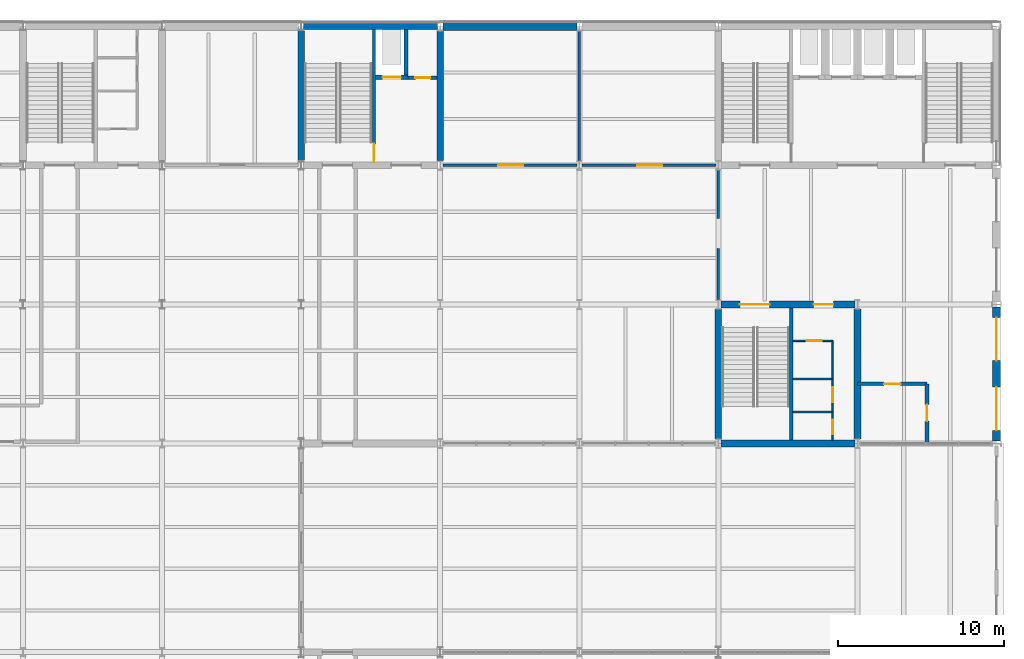
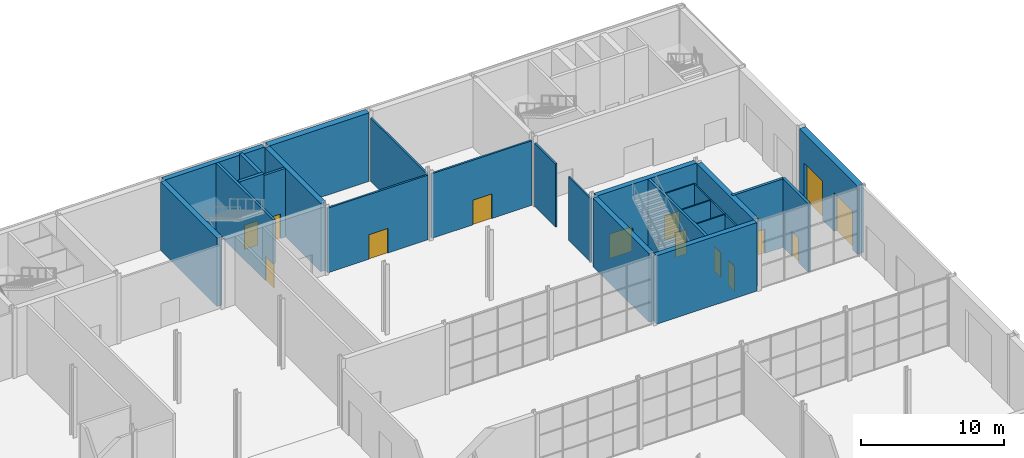
# One storey, part 36 of 55: 27 walls, 14 doors, 14 openings.
"""IFC4 building model written with IfcOpenShell, lengths in metres."""

from ifc_helpers import new_model, si_unit, direction, frame, frame_2d, origin, place, context, subcontext, project, spatial, rectangle, extrude, material, layer, layer_set, type_object, element, fill, save


model = new_model("IFC4")

# Units and contexts
model_context = context("Model", 3, precision=1e-05, world=origin(), true_north=direction((0.0, 1.0)))
body_context = subcontext(model_context, "Body", "Model", "MODEL_VIEW")
ifc_project = project(units=[si_unit("LENGTHUNIT", "METRE"), si_unit("AREAUNIT", "SQUARE_METRE"), si_unit("VOLUMEUNIT", "CUBIC_METRE"), si_unit("PLANEANGLEUNIT", "RADIAN"), si_unit("MASSUNIT", "GRAM", prefix="KILO")], contexts=[model_context])

# Site, building, storey
site_placement = place(None, origin())
site = spatial("IfcSite", under=ifc_project, at=site_placement, CompositionType="ELEMENT")
building_placement = place(site_placement, origin())
building = spatial("IfcBuilding", under=site, at=building_placement, Name="Galleria Vessillo Department Store", CompositionType="ELEMENT")
storey_placement = place(building_placement, origin())
storey = spatial("IfcBuildingStorey", under=building, at=storey_placement, Name="L00", CompositionType="ELEMENT", Elevation=0.0)

# Wall, opening, door
ifc_material_1 = material(Name="Solid clay block masonry", Category="masonry")
ifc_layer_1 = layer(ifc_material_1, 0.25)
ifc_layer_set_1 = layer_set([ifc_layer_1], Name="Solid clay block masonry")
wall_type_1 = type_object("IfcWallType", Name="Lift shaft wall 250 mm", PredefinedType="SOLIDWALL", material=ifc_layer_set_1)
wall_1_placement = place(storey_placement, frame((80.10009765625, 59.925048828125, 0.0), z_axis=(0.0, 0.0, 1.0), x_axis=(1.0, 0.0, 0.0)))
wall_1 = element("IfcWall", 1, at=wall_1_placement, inside=storey, type_object=wall_type_1, Name="Lift shaft wall LP6 landing side L00", PredefinedType="SOLIDWALL", context=body_context, shape_type="SweptSolid", body=[
    extrude(rectangle(XDim=1.949951171875, YDim=0.25, at=frame_2d((0.97509765625, 0.0))), origin(), (0.0, 0.0, 1.0), 6.0),
])
opening_1_placement = place(wall_1_placement, frame((0.4248046875, 0.0, 0.0)))
opening_1 = element("IfcOpeningElement", 2, at=opening_1_placement, cuts=wall_1, Name="Opening LD043", PredefinedType="OPENING", context=body_context, shape_type="SweptSolid", body=[
    extrude(rectangle(XDim=1.10009765625, YDim=2.10009765625, at=frame_2d((0.550048828125, 1.050048828125))), frame((0.0, 0.135009765625, 0.0), z_axis=(0.0, -1.0, 0.0), x_axis=(1.0, 0.0, 0.0)), (0.0, 0.0, 1.0), 0.27001953125),
])
ifc_material_2 = material(Name="Stainless steel lift door panel", Category="steel")
door_type_1 = type_object("IfcDoorType", Name="Lift landing door LD110 sliding 1100 x 2100", OperationType="SLIDING_TO_LEFT", PredefinedType="DOOR", material=ifc_material_2)
door_1_placement = place(opening_1_placement, frame((1.10009765625, 0.0, 0.0), z_axis=(0.0, 0.0, 1.0), x_axis=(-1.0, 0.0, 0.0)))
door_1 = element("IfcDoor", 3, at=door_1_placement, inside=storey, type_object=door_type_1, Name="Lift landing door LP6 L00", OperationType="SLIDING_TO_RIGHT", OverallHeight=2.10009765625, OverallWidth=1.10009765625, PredefinedType="DOOR", context=body_context, shape_type="SweptSolid", body=[
    extrude(rectangle(XDim=1.10009765625, YDim=2.10009765625, at=frame_2d((0.550048828125, 1.050048828125))), frame((0.0, 0.02490234375, 0.0), z_axis=(0.0, -1.0, 0.0), x_axis=(1.0, 0.0, 0.0)), (0.0, 0.0, 1.0), 0.050048828125),
])
fill(opening_1, door_1)

# Wall
wall_2_placement = place(storey_placement, frame((81.925048828125, 62.800048828125, 0.0), z_axis=(0.0, 0.0, 1.0), x_axis=(0.0, -1.0, 0.0)))
element("IfcWall", 4, at=wall_2_placement, inside=storey, type_object=wall_type_1, Name="Lift shaft wall LP6 L00", PredefinedType="SOLIDWALL", context=body_context, shape_type="SweptSolid", body=[
    extrude(rectangle(XDim=2.75, YDim=0.25, at=frame_2d((1.375, 0.0))), origin(), (0.0, 0.0, 1.0), 6.0),
])

# Wall, openings, doors
ifc_material_3 = material(Name="Reinforced masonry, limestone units 80 MPa", Category="masonry")
ifc_layer_2 = layer(ifc_material_3, 0.5)
ifc_layer_set_2 = layer_set([ifc_layer_2], Name="Reinforced masonry, limestone units 80 MPa")
wall_type_2 = type_object("IfcWallType", Name="Load-bearing limestone-faced wall 500 mm", PredefinedType="STANDARD", material=ifc_layer_set_2)
wall_3_placement = place(storey_placement, frame((117.60009765625, 37.953125, 0.0), z_axis=(0.0, 0.0, 1.0), x_axis=(0.0, 1.0, 0.0)))
wall_3 = element("IfcWall", 5, at=wall_3_placement, inside=storey, type_object=wall_type_2, Name="Load-bearing limestone-faced wall 500 mm SE-N-L00-01", PredefinedType="STANDARD", context=body_context, shape_type="SweptSolid", body=[
    extrude(rectangle(XDim=8.09375, YDim=0.5, at=frame_2d((4.046875, 0.0))), origin(), (0.0, 0.0, 1.0), 5.85009765625),
])
opening_2_placement = place(wall_3_placement, frame((0.64697265625, 0.0, 0.0)))
opening_2 = element("IfcOpeningElement", 6, at=opening_2_placement, cuts=wall_3, Name="Opening TE1", PredefinedType="OPENING", context=body_context, shape_type="SweptSolid", body=[
    extrude(rectangle(XDim=2.60009765625, YDim=3.300048828125, at=frame_2d((1.300048828125, 1.64990234375))), frame((0.0, 0.260009765625, 0.0), z_axis=(0.0, -1.0, 0.0), x_axis=(1.0, 0.0, 0.0)), (0.0, 0.0, 1.0), 0.52001953125),
])
opening_3_placement = place(wall_3_placement, frame((4.846923828125, 0.0, 0.0)))
opening_3 = element("IfcOpeningElement", 7, at=opening_3_placement, cuts=wall_3, Name="Opening TE2", PredefinedType="OPENING", context=body_context, shape_type="SweptSolid", body=[
    extrude(rectangle(XDim=2.60009765625, YDim=3.300048828125, at=frame_2d((1.300048828125, 1.64990234375))), frame((0.0, 0.260009765625, 0.0), z_axis=(0.0, -1.0, 0.0), x_axis=(1.0, 0.0, 0.0)), (0.0, 0.0, 1.0), 0.52001953125),
])
ifc_material_4 = material(Name="Aluminium frame with laminated glass 44.2", Category="aluminium")
door_type_2 = type_object("IfcDoorType", Name="Tower entrance door 2600 x 3300", OperationType="DOUBLE_DOOR_SINGLE_SWING", PredefinedType="DOOR", material=ifc_material_4)
door_2_placement = place(opening_2_placement, frame((2.60009765625, 0.0, 0.0), z_axis=(0.0, 0.0, 1.0), x_axis=(-1.0, 0.0, 0.0)))
door_2 = element("IfcDoor", 8, at=door_2_placement, inside=storey, type_object=door_type_2, Name="Tower entrance door 2600 x 3300 TE1", OperationType="DOUBLE_DOOR_SINGLE_SWING", OverallHeight=3.300048828125, OverallWidth=2.60009765625, PredefinedType="DOOR", context=body_context, shape_type="SweptSolid", body=[
    extrude(rectangle(XDim=2.60009765625, YDim=3.300048828125, at=frame_2d((1.300048828125, 1.64990234375))), frame((0.0, 0.02490234375, 0.0), z_axis=(0.0, -1.0, 0.0), x_axis=(1.0, 0.0, 0.0)), (0.0, 0.0, 1.0), 0.050048828125),
])
fill(opening_2, door_2)
door_3_placement = place(opening_3_placement, frame((2.60009765625, 0.0, 0.0), z_axis=(0.0, 0.0, 1.0), x_axis=(-1.0, 0.0, 0.0)))
door_3 = element("IfcDoor", 9, at=door_3_placement, inside=storey, type_object=door_type_2, Name="Tower entrance door 2600 x 3300 TE2", OperationType="DOUBLE_DOOR_SINGLE_SWING", OverallHeight=3.300048828125, OverallWidth=2.60009765625, PredefinedType="DOOR", context=body_context, shape_type="SweptSolid", body=[
    extrude(rectangle(XDim=2.60009765625, YDim=3.300048828125, at=frame_2d((1.300048828125, 1.64990234375))), frame((0.0, 0.02490234375, 0.0), z_axis=(0.0, -1.0, 0.0), x_axis=(1.0, 0.0, 0.0)), (0.0, 0.0, 1.0), 0.050048828125),
])
fill(opening_3, door_3)

# Walls
ifc_material_5 = material(Name="Concrete C32/40 reinforced", Category="concrete")
ifc_layer_3 = layer(ifc_material_5, 0.39990234375)
ifc_layer_set_3 = layer_set([ifc_layer_3], Name="Concrete C32/40 reinforced")
wall_type_3 = type_object("IfcWallType", Name="Reinforced concrete core wall 400 mm", PredefinedType="SHEAR", material=ifc_layer_set_3)
wall_4_placement = place(storey_placement, frame((75.60009765625, 54.85009765625, 0.0), z_axis=(0.0, 0.0, 1.0), x_axis=(0.0, 1.0, 0.0)))
element("IfcWall", 10, at=wall_4_placement, inside=storey, type_object=wall_type_3, Name="S-CW-PC-NE-WEST-L00", PredefinedType="SHEAR", context=body_context, shape_type="SweptSolid", body=[
    extrude(rectangle(XDim=7.89990234375, YDim=0.39990234375, at=frame_2d((3.949951171875, 0.0))), origin(), (0.0, 0.0, 1.0), 5.85009765625),
])
wall_5_placement = place(storey_placement, frame((84.0, 54.885986328125, 0.0), z_axis=(0.0, 0.0, 1.0), x_axis=(0.0, 1.0, 0.0)))
element("IfcWall", 11, at=wall_5_placement, inside=storey, type_object=wall_type_3, Name="S-CW-PC-NE-EAST-L00", PredefinedType="SHEAR", context=body_context, shape_type="SweptSolid", body=[
    extrude(rectangle(XDim=7.828125, YDim=0.39990234375, at=frame_2d((3.9140625, 0.0))), origin(), (0.0, 0.0, 1.0), 5.85009765625),
])
wall_6_placement = place(storey_placement, frame((100.953125, 37.800048828125, 0.0), z_axis=(0.0, 0.0, 1.0), x_axis=(1.0, 0.0, 0.0)))
element("IfcWall", 12, at=wall_6_placement, inside=storey, type_object=wall_type_3, Name="S-CW-TS-PARTY-L00", PredefinedType="SHEAR", context=body_context, shape_type="SweptSolid", body=[
    extrude(rectangle(XDim=8.09375, YDim=0.39990234375, at=frame_2d((4.046875, 0.0))), origin(), (0.0, 0.0, 1.0), 5.85009765625),
])

# Wall, openings, doors
wall_7_placement = place(storey_placement, frame((100.953125, 46.199951171875, 0.0), z_axis=(0.0, 0.0, 1.0), x_axis=(1.0, 0.0, 0.0)))
wall_7 = element("IfcWall", 13, at=wall_7_placement, inside=storey, type_object=wall_type_3, Name="S-CW-TS-INTERIOR-L00", PredefinedType="SHEAR", context=body_context, shape_type="SweptSolid", body=[
    extrude(rectangle(XDim=8.09375, YDim=0.39990234375, at=frame_2d((4.046875, 0.0))), origin(), (0.0, 0.0, 1.0), 5.85009765625),
])
opening_4_placement = place(wall_7_placement, frame((5.596923828125, 0.0, 0.0)))
opening_4 = element("IfcOpeningElement", 14, at=opening_4_placement, cuts=wall_7, Name="Opening D5320", PredefinedType="OPENING", context=body_context, shape_type="SweptSolid", body=[
    extrude(rectangle(XDim=1.199951171875, YDim=2.10009765625, at=frame_2d((0.60009765625, 1.050048828125))), frame((0.0, 0.2099609375, 0.0), z_axis=(0.0, -1.0, 0.0), x_axis=(1.0, 0.0, 0.0)), (0.0, 0.0, 1.0), 0.419921875),
])
opening_5_placement = place(wall_7_placement, frame((1.14697265625, 0.0, 0.0)))
opening_5 = element("IfcOpeningElement", 15, at=opening_5_placement, cuts=wall_7, Name="Opening D5352", PredefinedType="OPENING", context=body_context, shape_type="SweptSolid", body=[
    extrude(rectangle(XDim=1.800048828125, YDim=2.10009765625, at=frame_2d((0.89990234375, 1.050048828125))), frame((0.0, 0.2099609375, 0.0), z_axis=(0.0, -1.0, 0.0), x_axis=(1.0, 0.0, 0.0)), (0.0, 0.0, 1.0), 0.419921875),
])
ifc_material_6 = material(Name="Fire-rated steel door leaf", Category="steel")
door_type_3 = type_object("IfcDoorType", Name="Door D120F fire door 1200 x 2100", OperationType="SINGLE_SWING_LEFT", PredefinedType="DOOR", material=ifc_material_6)
door_4_placement = place(opening_4_placement, frame((1.199951171875, 0.0, 0.0), z_axis=(0.0, 0.0, 1.0), x_axis=(-1.0, 0.0, 0.0)))
door_4 = element("IfcDoor", 16, at=door_4_placement, inside=storey, type_object=door_type_3, Name="Lobby door TS-WC-FLOOR L00", OperationType="SINGLE_SWING_LEFT", OverallHeight=2.10009765625, OverallWidth=1.199951171875, PredefinedType="DOOR", context=body_context, shape_type="SweptSolid", body=[
    extrude(rectangle(XDim=1.199951171875, YDim=2.10009765625, at=frame_2d((0.60009765625, 1.050048828125))), frame((0.0, 0.02490234375, 0.0), z_axis=(0.0, -1.0, 0.0), x_axis=(1.0, 0.0, 0.0)), (0.0, 0.0, 1.0), 0.050048828125),
])
fill(opening_4, door_4)
ifc_material_7 = material(Name="Fire-rated steel door leaf", Category="steel")
door_type_4 = type_object("IfcDoorType", Name="Door D180F double leaf 1800 x 2100", OperationType="DOUBLE_DOOR_SINGLE_SWING", PredefinedType="DOOR", material=ifc_material_7)
door_5_placement = place(opening_5_placement, origin())
door_5 = element("IfcDoor", 17, at=door_5_placement, inside=storey, type_object=door_type_4, Name="Stair exit door X-ST12", OperationType="DOUBLE_DOOR_SINGLE_SWING", OverallHeight=2.10009765625, OverallWidth=1.800048828125, PredefinedType="DOOR", context=body_context, shape_type="SweptSolid", body=[
    extrude(rectangle(XDim=1.800048828125, YDim=2.10009765625, at=frame_2d((0.89990234375, 1.050048828125))), frame((0.0, 0.02490234375, 0.0), z_axis=(0.0, -1.0, 0.0), x_axis=(1.0, 0.0, 0.0)), (0.0, 0.0, 1.0), 0.050048828125),
])
fill(opening_5, door_5)

# Walls
for number, where, z_axis, x_axis, name in (
    (18, (100.800048828125, 38.0859375, 0.0), (0.0, 0.0, 1.0), (0.0, 1.0, 0.0), "S-CW-TS-WEST-L00"),
    (19, (109.199951171875, 38.0859375, 0.0), (0.0, 0.0, 1.0), (0.0, 1.0, 0.0), "S-CW-TS-EAST-L00"),
):
    element("IfcWall", number, at=place(storey_placement, frame(where, z_axis=z_axis, x_axis=x_axis)), inside=storey, type_object=wall_type_3, Name=name, PredefinedType="SHEAR", context=body_context, shape_type="SweptSolid", body=[
        extrude(rectangle(XDim=7.828125, YDim=0.39990234375, at=frame_2d((3.9140625, 0.0))), origin(), (0.0, 0.0, 1.0), 5.85009765625),
    ])
ifc_material_8 = material(Name="Concrete C32/40 reinforced", Category="concrete")
ifc_layer_4 = layer(ifc_material_8, 0.39990234375)
ifc_layer_set_4 = layer_set([ifc_layer_4], Name="Concrete C32/40 reinforced")
wall_type_4 = type_object("IfcWallType", Name="Reinforced concrete core wall 400 mm, external", PredefinedType="SHEAR", material=ifc_layer_set_4)
wall_8_placement = place(storey_placement, frame((75.75, 63.0, 0.0), z_axis=(0.0, 0.0, 1.0), x_axis=(1.0, 0.0, 0.0)))
element("IfcWall", 20, at=wall_8_placement, inside=storey, type_object=wall_type_4, Name="S-CW-PC-NE-PARTY-L00", PredefinedType="SHEAR", context=body_context, shape_type="SweptSolid", body=[
    extrude(rectangle(XDim=8.096923828125, YDim=0.39990234375, at=frame_2d((4.04833984375, 0.0))), origin(), (0.0, 0.0, 1.0), 5.85009765625),
])
ifc_material_9 = material(Name="Concrete C32/40 reinforced", Category="concrete")
ifc_layer_5 = layer(ifc_material_9, 0.5)
ifc_layer_set_5 = layer_set([ifc_layer_5], Name="Concrete C32/40 reinforced")
wall_type_5 = type_object("IfcWallType", Name="Reinforced concrete party wall 500 mm", PredefinedType="SHEAR", material=ifc_layer_set_5)
wall_9_placement = place(storey_placement, frame((84.153076171875, 63.0, 0.0), z_axis=(0.0, 0.0, 1.0), x_axis=(1.0, 0.0, 0.0)))
element("IfcWall", 21, at=wall_9_placement, inside=storey, type_object=wall_type_5, Name="S-PN-L00-07", PredefinedType="SHEAR", context=body_context, shape_type="SweptSolid", body=[
    extrude(rectangle(XDim=8.09375, YDim=0.5, at=frame_2d((4.046875, 0.0))), origin(), (0.0, 0.0, 1.0), 5.85009765625),
])

# Wall, opening, door
ifc_material_10 = material(Name="Concrete C32/40 reinforced", Category="concrete")
ifc_layer_6 = layer(ifc_material_10, 0.199951171875)
ifc_layer_set_6 = layer_set([ifc_layer_6], Name="Concrete C32/40 reinforced")
wall_type_6 = type_object("IfcWallType", Name="Reinforced concrete stair enclosure wall 200 mm", PredefinedType="SHEAR", material=ifc_layer_set_6)
wall_10_placement = place(storey_placement, frame((80.0, 62.800048828125, 0.0), z_axis=(0.0, 0.0, 1.0), x_axis=(0.0, -1.0, 0.0)))
wall_10 = element("IfcWall", 22, at=wall_10_placement, inside=storey, type_object=wall_type_6, Name="Stair enclosure wall PC-NE L00", PredefinedType="SHEAR", context=body_context, shape_type="SweptSolid", body=[
    extrude(rectangle(XDim=8.0, YDim=0.199951171875, at=frame_2d((4.0, 0.0))), origin(), (0.0, 0.0, 1.0), 5.85009765625),
])
opening_6_placement = place(wall_10_placement, frame((6.89990234375, 0.0, 0.0)))
opening_6 = element("IfcOpeningElement", 23, at=opening_6_placement, cuts=wall_10, Name="Opening D5166", PredefinedType="OPENING", context=body_context, shape_type="SweptSolid", body=[
    extrude(rectangle(XDim=1.11009765625, YDim=2.10009765625, at=frame_2d((0.554931640625, 1.050048828125))), frame((0.0, 0.10986328125, 0.0), z_axis=(0.0, -1.0, 0.0), x_axis=(1.0, 0.0, 0.0)), (0.0, 0.0, 1.0), 0.219970703125),
])
ifc_material_11 = material(Name="Fire-rated steel door leaf", Category="steel")
door_type_5 = type_object("IfcDoorType", Name="Door D110F stair door 1100 x 2100", OperationType="SINGLE_SWING_LEFT", PredefinedType="DOOR", material=ifc_material_11)
door_6_placement = place(opening_6_placement, origin())
door_6 = element("IfcDoor", 24, at=door_6_placement, inside=storey, type_object=door_type_5, Name="Stair door PC-NE-ST-LOBBY L00", OperationType="SINGLE_SWING_RIGHT", OverallHeight=2.10009765625, OverallWidth=1.10009765625, PredefinedType="DOOR", context=body_context, shape_type="SweptSolid", body=[
    extrude(rectangle(XDim=1.10009765625, YDim=2.10009765625, at=frame_2d((0.550048828125, 1.050048828125))), frame((0.0, 0.02490234375, 0.0), z_axis=(0.0, -1.0, 0.0), x_axis=(1.0, 0.0, 0.0)), (0.0, 0.0, 1.0), 0.050048828125),
])
fill(opening_6, door_6)

# Wall
wall_11_placement = place(storey_placement, frame((105.199951171875, 38.0, 0.0), z_axis=(0.0, 0.0, 1.0), x_axis=(0.0, 1.0, 0.0)))
element("IfcWall", 25, at=wall_11_placement, inside=storey, type_object=wall_type_6, Name="Stair enclosure wall TS L00", PredefinedType="SHEAR", context=body_context, shape_type="SweptSolid", body=[
    extrude(rectangle(XDim=8.0, YDim=0.199951171875, at=frame_2d((4.0, 0.0))), origin(), (0.0, 0.0, 1.0), 5.85009765625),
])

# Wall, opening, door
ifc_material_12 = material(Name="Hollow clay block masonry", Category="masonry")
ifc_layer_7 = layer(ifc_material_12, 0.199951171875)
ifc_layer_set_7 = layer_set([ifc_layer_7], Name="Hollow clay block masonry")
wall_type_7 = type_object("IfcWallType", Name="Riser and service room wall 200 mm", PredefinedType="PARTITIONING", material=ifc_layer_set_7)
wall_12_placement = place(storey_placement, frame((82.050048828125, 59.900146484375, 0.0), z_axis=(0.0, 0.0, 1.0), x_axis=(1.0, 0.0, 0.0)))
wall_12 = element("IfcWall", 26, at=wall_12_placement, inside=storey, type_object=wall_type_7, Name="Riser wall PC-NE-RISER L00", PredefinedType="PARTITIONING", context=body_context, shape_type="SweptSolid", body=[
    extrude(rectangle(XDim=1.75, YDim=0.199951171875, at=frame_2d((0.875, 0.0))), origin(), (0.0, 0.0, 1.0), 5.85009765625),
])
opening_7_placement = place(wall_12_placement, frame((0.449951171875, 0.0, 0.0)))
opening_7 = element("IfcOpeningElement", 27, at=opening_7_placement, cuts=wall_12, Name="Opening D5167", PredefinedType="OPENING", context=body_context, shape_type="SweptSolid", body=[
    extrude(rectangle(XDim=0.89990234375, YDim=2.10009765625, at=frame_2d((0.449951171875, 1.050048828125))), frame((0.0, 0.10986328125, 0.0), z_axis=(0.0, -1.0, 0.0), x_axis=(1.0, 0.0, 0.0)), (0.0, 0.0, 1.0), 0.219970703125),
])
ifc_material_13 = material(Name="Fire-rated steel door leaf", Category="steel")
door_type_6 = type_object("IfcDoorType", Name="Door DR90 riser access 900 x 2100", OperationType="SINGLE_SWING_LEFT", PredefinedType="DOOR", material=ifc_material_13)
door_7_placement = place(opening_7_placement, origin())
door_7 = element("IfcDoor", 28, at=door_7_placement, inside=storey, type_object=door_type_6, Name="Riser door PC-NE-RISER-D L00", OperationType="SINGLE_SWING_RIGHT", OverallHeight=2.10009765625, OverallWidth=0.89990234375, PredefinedType="DOOR", context=body_context, shape_type="SweptSolid", body=[
    extrude(rectangle(XDim=0.89990234375, YDim=2.10009765625, at=frame_2d((0.449951171875, 1.050048828125))), frame((0.0, 0.02490234375, 0.0), z_axis=(0.0, -1.0, 0.0), x_axis=(1.0, 0.0, 0.0)), (0.0, 0.0, 1.0), 0.050048828125),
])
fill(opening_7, door_7)

# Walls
ifc_material_14 = material(Name="Gypsum board partition")
ifc_layer_8 = layer(ifc_material_14, 0.139892578125)
ifc_layer_set_8 = layer_set([ifc_layer_8], Name="Gypsum board partition")
wall_type_8 = type_object("IfcWallType", Name="Sales dividing wall 140 mm", PredefinedType="PARTITIONING", material=ifc_layer_set_8)
wall_13_placement = place(storey_placement, frame((100.800048828125, 46.48583984375, 0.0), z_axis=(0.0, 0.0, 1.0), x_axis=(0.0, 1.0, 0.0)))
element("IfcWall", 29, at=wall_13_placement, inside=storey, type_object=wall_type_8, Name="Partition wall PT3 on L00 no. 042", PredefinedType="PARTITIONING", context=body_context, shape_type="SweptSolid", body=[
    extrude(rectangle(XDim=3.10009765625, YDim=0.139892578125, at=frame_2d((1.550048828125, 0.0))), origin(), (0.0, 0.0, 1.0), 5.41015625),
])
wall_14_placement = place(storey_placement, frame((100.800048828125, 51.385986328125, 0.0), z_axis=(0.0, 0.0, 1.0), x_axis=(0.0, 1.0, 0.0)))
element("IfcWall", 30, at=wall_14_placement, inside=storey, type_object=wall_type_8, Name="Partition wall PT3 on L00 no. 043", PredefinedType="PARTITIONING", context=body_context, shape_type="SweptSolid", body=[
    extrude(rectangle(XDim=2.92822265625, YDim=0.139892578125, at=frame_2d((1.464111328125, 0.0))), origin(), (0.0, 0.0, 1.0), 5.41015625),
])

# Wall, opening, door
ifc_material_15 = material(Name="Concrete blockwork", Category="masonry")
ifc_layer_9 = layer(ifc_material_15, 0.215087890625)
ifc_layer_set_9 = layer_set([ifc_layer_9], Name="Concrete blockwork")
wall_type_9 = type_object("IfcWallType", Name="Security room blockwork wall 215 mm", PredefinedType="SOLIDWALL", material=ifc_layer_set_9)
wall_15_placement = place(storey_placement, frame((109.2099609375, 41.39990234375, 0.0), z_axis=(0.0, 0.0, 1.0), x_axis=(1.0, 0.0, 0.0)))
wall_15 = element("IfcWall", 31, at=wall_15_placement, inside=storey, type_object=wall_type_9, Name="Partition wall PT9 on L00 no. 044", PredefinedType="SOLIDWALL", context=body_context, shape_type="SweptSolid", body=[
    extrude(rectangle(XDim=4.18994140625, YDim=0.215087890625, at=frame_2d((2.094970703125, 0.0))), origin(), (0.0, 0.0, 1.0), 5.85009765625),
])
opening_8_placement = place(wall_15_placement, frame((1.60009765625, 0.0, 0.0)))
opening_8 = element("IfcOpeningElement", 32, at=opening_8_placement, cuts=wall_15, Name="Opening D2225", PredefinedType="OPENING", context=body_context, shape_type="SweptSolid", body=[
    extrude(rectangle(XDim=1.0, YDim=2.10009765625, at=frame_2d((0.5, 1.050048828125))), frame((0.0, 0.11767578125, 0.0), z_axis=(0.0, -1.0, 0.0), x_axis=(1.0, 0.0, 0.0)), (0.0, 0.0, 1.0), 0.235107421875),
])
ifc_material_16 = material(Name="Steel fire door leaf", Category="steel")
door_type_7 = type_object("IfcDoorType", Name="Fire door 1000 single leaf", OperationType="SINGLE_SWING_LEFT", PredefinedType="DOOR", material=ifc_material_16)
door_8_placement = place(opening_8_placement, frame((1.0, 0.0, 0.0), z_axis=(0.0, 0.0, 1.0), x_axis=(-1.0, 0.0, 0.0)))
door_8 = element("IfcDoor", 33, at=door_8_placement, inside=storey, type_object=door_type_7, Name="Door D2225", OperationType="SINGLE_SWING_LEFT", OverallHeight=2.10009765625, OverallWidth=1.0, PredefinedType="DOOR", context=body_context, shape_type="SweptSolid", body=[
    extrude(rectangle(XDim=1.0, YDim=2.10009765625, at=frame_2d((0.5, 1.050048828125))), frame((0.0, 0.02490234375, 0.0), z_axis=(0.0, -1.0, 0.0), x_axis=(1.0, 0.0, 0.0)), (0.0, 0.0, 1.0), 0.050048828125),
])
fill(opening_8, door_8)

wall_16_placement = place(storey_placement, frame((113.39990234375, 37.800048828125, 0.0), z_axis=(0.0, 0.0, 1.0), x_axis=(0.0, 1.0, 0.0)))
wall_16 = element("IfcWall", 34, at=wall_16_placement, inside=storey, type_object=wall_type_9, Name="Partition wall PT9 on L00 no. 045", PredefinedType="SOLIDWALL", context=body_context, shape_type="SweptSolid", body=[
    extrude(rectangle(XDim=3.599853515625, YDim=0.215087890625, at=frame_2d((1.7998046875, 0.0))), origin(), (0.0, 0.0, 1.0), 5.85009765625),
])
opening_9_placement = place(wall_16_placement, frame((1.35009765625, 0.0, 0.0)))
opening_9 = element("IfcOpeningElement", 35, at=opening_9_placement, cuts=wall_16, Name="Opening D2226", PredefinedType="OPENING", context=body_context, shape_type="SweptSolid", body=[
    extrude(rectangle(XDim=1.0, YDim=2.10009765625, at=frame_2d((0.5, 1.050048828125))), frame((0.0, 0.11767578125, 0.0), z_axis=(0.0, -1.0, 0.0), x_axis=(1.0, 0.0, 0.0)), (0.0, 0.0, 1.0), 0.235107421875),
])
door_9_placement = place(opening_9_placement, origin())
door_9 = element("IfcDoor", 36, at=door_9_placement, inside=storey, type_object=door_type_7, Name="Door D2226", OperationType="SINGLE_SWING_RIGHT", OverallHeight=2.10009765625, OverallWidth=1.0, PredefinedType="DOOR", context=body_context, shape_type="SweptSolid", body=[
    extrude(rectangle(XDim=1.0, YDim=2.10009765625, at=frame_2d((0.5, 1.050048828125))), frame((0.0, 0.02490234375, 0.0), z_axis=(0.0, -1.0, 0.0), x_axis=(1.0, 0.0, 0.0)), (0.0, 0.0, 1.0), 0.050048828125),
])
fill(opening_9, door_9)

# Wall
ifc_material_17 = material(Name="Concrete blockwork", Category="masonry")
ifc_layer_10 = layer(ifc_material_17, 0.14990234375)
ifc_layer_set_10 = layer_set([ifc_layer_10], Name="Concrete blockwork")
wall_type_10 = type_object("IfcWallType", Name="Stockroom blockwork wall 150 mm", PredefinedType="SOLIDWALL", material=ifc_layer_set_10)
wall_17_placement = place(storey_placement, frame((92.39990234375, 54.885986328125, 0.0), z_axis=(0.0, 0.0, 1.0), x_axis=(0.0, 1.0, 0.0)))
element("IfcWall", 37, at=wall_17_placement, inside=storey, type_object=wall_type_10, Name="Partition wall PT4 on L00 no. 037", PredefinedType="SOLIDWALL", context=body_context, shape_type="SweptSolid", body=[
    extrude(rectangle(XDim=7.828125, YDim=0.14990234375, at=frame_2d((3.9140625, 0.0))), origin(), (0.0, 0.0, 1.0), 5.41015625),
])

# Wall, opening, door
wall_18_placement = place(storey_placement, frame((84.153076171875, 54.60009765625, 0.0), z_axis=(0.0, 0.0, 1.0), x_axis=(1.0, 0.0, 0.0)))
wall_18 = element("IfcWall", 38, at=wall_18_placement, inside=storey, type_object=wall_type_10, Name="Partition wall PT4 on L00 no. 038", PredefinedType="SOLIDWALL", context=body_context, shape_type="SweptSolid", body=[
    extrude(rectangle(XDim=8.09375, YDim=0.14990234375, at=frame_2d((4.046875, 0.0))), origin(), (0.0, 0.0, 1.0), 5.52001953125),
])
opening_10_placement = place(wall_18_placement, frame((3.35009765625, 0.0, 0.0)))
opening_10 = element("IfcOpeningElement", 39, at=opening_10_placement, cuts=wall_18, Name="Opening D2222", PredefinedType="OPENING", context=body_context, shape_type="SweptSolid", body=[
    extrude(rectangle(XDim=1.5, YDim=2.10009765625, at=frame_2d((0.75, 1.050048828125))), frame((0.0, 0.0849609375, 0.0), z_axis=(0.0, -1.0, 0.0), x_axis=(1.0, 0.0, 0.0)), (0.0, 0.0, 1.0), 0.169921875),
])
ifc_material_18 = material(Name="Steel fire door leaf", Category="steel")
door_type_8 = type_object("IfcDoorType", Name="Stockroom fire door 1500 double leaf", OperationType="DOUBLE_DOOR_SINGLE_SWING", PredefinedType="DOOR", material=ifc_material_18)
door_10_placement = place(opening_10_placement, origin())
door_10 = element("IfcDoor", 40, at=door_10_placement, inside=storey, type_object=door_type_8, Name="Door D2222", OperationType="DOUBLE_DOOR_SINGLE_SWING", OverallHeight=2.10009765625, OverallWidth=1.5, PredefinedType="DOOR", context=body_context, shape_type="SweptSolid", body=[
    extrude(rectangle(XDim=1.5, YDim=2.10009765625, at=frame_2d((0.75, 1.050048828125))), frame((0.0, 0.02490234375, 0.0), z_axis=(0.0, -1.0, 0.0), x_axis=(1.0, 0.0, 0.0)), (0.0, 0.0, 1.0), 0.050048828125),
])
fill(opening_10, door_10)

wall_19_placement = place(storey_placement, frame((92.552978515625, 54.60009765625, 0.0), z_axis=(0.0, 0.0, 1.0), x_axis=(1.0, 0.0, 0.0)))
wall_19 = element("IfcWall", 41, at=wall_19_placement, inside=storey, type_object=wall_type_10, Name="Partition wall PT4 on L00 no. 039", PredefinedType="SOLIDWALL", context=body_context, shape_type="SweptSolid", body=[
    extrude(rectangle(XDim=8.093994140625, YDim=0.14990234375, at=frame_2d((4.046875, 0.0))), origin(), (0.0, 0.0, 1.0), 5.52001953125),
])
opening_11_placement = place(wall_19_placement, frame((3.35009765625, 0.0, 0.0)))
opening_11 = element("IfcOpeningElement", 42, at=opening_11_placement, cuts=wall_19, Name="Opening D2223", PredefinedType="OPENING", context=body_context, shape_type="SweptSolid", body=[
    extrude(rectangle(XDim=1.5, YDim=2.10009765625, at=frame_2d((0.75, 1.050048828125))), frame((0.0, 0.0849609375, 0.0), z_axis=(0.0, -1.0, 0.0), x_axis=(1.0, 0.0, 0.0)), (0.0, 0.0, 1.0), 0.169921875),
])
door_11_placement = place(opening_11_placement, origin())
door_11 = element("IfcDoor", 43, at=door_11_placement, inside=storey, type_object=door_type_8, Name="Door D2223", OperationType="DOUBLE_DOOR_SINGLE_SWING", OverallHeight=2.10009765625, OverallWidth=1.5, PredefinedType="DOOR", context=body_context, shape_type="SweptSolid", body=[
    extrude(rectangle(XDim=1.5, YDim=2.10009765625, at=frame_2d((0.75, 1.050048828125))), frame((0.0, 0.02490234375, 0.0), z_axis=(0.0, -1.0, 0.0), x_axis=(1.0, 0.0, 0.0)), (0.0, 0.0, 1.0), 0.050048828125),
])
fill(opening_11, door_11)

ifc_material_19 = material(Name="Moisture-resistant board partition")
ifc_layer_11 = layer(ifc_material_19, 0.10009765625)
ifc_layer_set_11 = layer_set([ifc_layer_11], Name="Moisture-resistant board partition")
wall_type_11 = type_object("IfcWallType", Name="WC and cubicle partition 100 mm", PredefinedType="PARTITIONING", material=ifc_layer_set_11)
wall_20_placement = place(storey_placement, frame((105.300048828125, 44.0, 0.0), z_axis=(0.0, 0.0, 1.0), x_axis=(1.0, 0.0, 0.0)))
wall_20 = element("IfcWall", 44, at=wall_20_placement, inside=storey, type_object=wall_type_11, Name="Partition wall PT1 on L00 no. 013", PredefinedType="PARTITIONING", context=body_context, shape_type="SweptSolid", body=[
    extrude(rectangle(XDim=2.39990234375, YDim=0.10009765625, at=frame_2d((1.199951171875, 0.0))), origin(), (0.0, 0.0, 1.0), 5.780029296875),
])
opening_12_placement = place(wall_20_placement, frame((0.85009765625, 0.0, 0.0)))
opening_12 = element("IfcOpeningElement", 45, at=opening_12_placement, cuts=wall_20, Name="Opening D2207", PredefinedType="OPENING", context=body_context, shape_type="SweptSolid", body=[
    extrude(rectangle(XDim=0.89990234375, YDim=2.10009765625, at=frame_2d((0.449951171875, 1.050048828125))), frame((0.0, 0.06005859375, 0.0), z_axis=(0.0, -1.0, 0.0), x_axis=(1.0, 0.0, 0.0)), (0.0, 0.0, 1.0), 0.1201171875),
])
ifc_material_20 = material(Name="Timber and glass door leaf", Category="wood")
door_type_9 = type_object("IfcDoorType", Name="Floor door 900 single leaf", OperationType="SINGLE_SWING_LEFT", PredefinedType="DOOR", material=ifc_material_20)
door_12_placement = place(opening_12_placement, origin())
door_12 = element("IfcDoor", 46, at=door_12_placement, inside=storey, type_object=door_type_9, Name="Door D2207", OperationType="SINGLE_SWING_LEFT", OverallHeight=2.10009765625, OverallWidth=0.89990234375, PredefinedType="DOOR", context=body_context, shape_type="SweptSolid", body=[
    extrude(rectangle(XDim=0.89990234375, YDim=2.10009765625, at=frame_2d((0.449951171875, 1.050048828125))), frame((0.0, 0.02490234375, 0.0), z_axis=(0.0, -1.0, 0.0), x_axis=(1.0, 0.0, 0.0)), (0.0, 0.0, 1.0), 0.050048828125),
])
fill(opening_12, door_12)

# Wall
wall_21_placement = place(storey_placement, frame((107.699951171875, 41.699951171875, 0.0), z_axis=(0.0, 0.0, 1.0), x_axis=(0.0, 1.0, 0.0)))
element("IfcWall", 47, at=wall_21_placement, inside=storey, type_object=wall_type_11, Name="Partition wall PT1 on L00 no. 014", PredefinedType="PARTITIONING", context=body_context, shape_type="SweptSolid", body=[
    extrude(rectangle(XDim=2.300048828125, YDim=0.10009765625, at=frame_2d((1.14990234375, 0.0))), origin(), (0.0, 0.0, 1.0), 5.780029296875),
])

# Wall, opening, door
wall_22_placement = place(storey_placement, frame((107.699951171875, 39.699951171875, 0.0), z_axis=(0.0, 0.0, 1.0), x_axis=(0.0, 1.0, 0.0)))
wall_22 = element("IfcWall", 48, at=wall_22_placement, inside=storey, type_object=wall_type_11, Name="Partition wall PT1 on L00 no. 015", PredefinedType="PARTITIONING", context=body_context, shape_type="SweptSolid", body=[
    extrude(rectangle(XDim=2.0, YDim=0.10009765625, at=frame_2d((1.0, 0.0))), origin(), (0.0, 0.0, 1.0), 5.780029296875),
])
opening_13_placement = place(wall_22_placement, frame((0.60009765625, 0.0, 0.0)))
opening_13 = element("IfcOpeningElement", 49, at=opening_13_placement, cuts=wall_22, Name="Opening D2208", PredefinedType="OPENING", context=body_context, shape_type="SweptSolid", body=[
    extrude(rectangle(XDim=0.89990234375, YDim=2.10009765625, at=frame_2d((0.449951171875, 1.050048828125))), frame((0.0, 0.06005859375, 0.0), z_axis=(0.0, -1.0, 0.0), x_axis=(1.0, 0.0, 0.0)), (0.0, 0.0, 1.0), 0.1201171875),
])
door_13_placement = place(opening_13_placement, frame((0.89990234375, 0.0, 0.0), z_axis=(0.0, 0.0, 1.0), x_axis=(-1.0, 0.0, 0.0)))
door_13 = element("IfcDoor", 50, at=door_13_placement, inside=storey, type_object=door_type_9, Name="Door D2208", OperationType="SINGLE_SWING_RIGHT", OverallHeight=2.10009765625, OverallWidth=0.89990234375, PredefinedType="DOOR", context=body_context, shape_type="SweptSolid", body=[
    extrude(rectangle(XDim=0.89990234375, YDim=2.10009765625, at=frame_2d((0.449951171875, 1.050048828125))), frame((0.0, 0.02490234375, 0.0), z_axis=(0.0, -1.0, 0.0), x_axis=(1.0, 0.0, 0.0)), (0.0, 0.0, 1.0), 0.050048828125),
])
fill(opening_13, door_13)

wall_23_placement = place(storey_placement, frame((107.699951171875, 38.0, 0.0), z_axis=(0.0, 0.0, 1.0), x_axis=(0.0, 1.0, 0.0)))
wall_23 = element("IfcWall", 51, at=wall_23_placement, inside=storey, type_object=wall_type_11, Name="Partition wall PT1 on L00 no. 016", PredefinedType="PARTITIONING", context=body_context, shape_type="SweptSolid", body=[
    extrude(rectangle(XDim=1.699951171875, YDim=0.10009765625, at=frame_2d((0.85009765625, 0.0))), origin(), (0.0, 0.0, 1.0), 5.780029296875),
])
opening_14_placement = place(wall_23_placement, frame((0.35009765625, 0.0, 0.0)))
opening_14 = element("IfcOpeningElement", 52, at=opening_14_placement, cuts=wall_23, Name="Opening D2209", PredefinedType="OPENING", context=body_context, shape_type="SweptSolid", body=[
    extrude(rectangle(XDim=0.89990234375, YDim=2.10009765625, at=frame_2d((0.449951171875, 1.050048828125))), frame((0.0, 0.06005859375, 0.0), z_axis=(0.0, -1.0, 0.0), x_axis=(1.0, 0.0, 0.0)), (0.0, 0.0, 1.0), 0.1201171875),
])
ifc_material_21 = material(Name="Timber and glass door leaf", Category="wood")
door_type_10 = type_object("IfcDoorType", Name="Accessible WC door 900 sliding", OperationType="SLIDING_TO_LEFT", PredefinedType="DOOR", material=ifc_material_21)
door_14_placement = place(opening_14_placement, origin())
door_14 = element("IfcDoor", 53, at=door_14_placement, inside=storey, type_object=door_type_10, Name="Door D2209", OperationType="SLIDING_TO_RIGHT", OverallHeight=2.10009765625, OverallWidth=0.89990234375, PredefinedType="DOOR", context=body_context, shape_type="SweptSolid", body=[
    extrude(rectangle(XDim=0.89990234375, YDim=2.10009765625, at=frame_2d((0.449951171875, 1.050048828125))), frame((0.0, 0.02490234375, 0.0), z_axis=(0.0, -1.0, 0.0), x_axis=(1.0, 0.0, 0.0)), (0.0, 0.0, 1.0), 0.050048828125),
])
fill(opening_14, door_14)

# Walls
for number, where, z_axis, x_axis, name in (
    (54, (105.300048828125, 41.699951171875, 0.0), (0.0, 0.0, 1.0), (1.0, 0.0, 0.0), "Partition wall PT1 on L00 no. 017"),
    (55, (105.300048828125, 39.699951171875, 0.0), (0.0, 0.0, 1.0), (1.0, 0.0, 0.0), "Partition wall PT1 on L00 no. 018"),
):
    element("IfcWall", number, at=place(storey_placement, frame(where, z_axis=z_axis, x_axis=x_axis)), inside=storey, type_object=wall_type_11, Name=name, PredefinedType="PARTITIONING", context=body_context, shape_type="SweptSolid", body=[
        extrude(rectangle(XDim=2.39990234375, YDim=0.10009765625, at=frame_2d((1.199951171875, 0.0))), origin(), (0.0, 0.0, 1.0), 5.780029296875),
    ])

save(model, "model.ifc")
